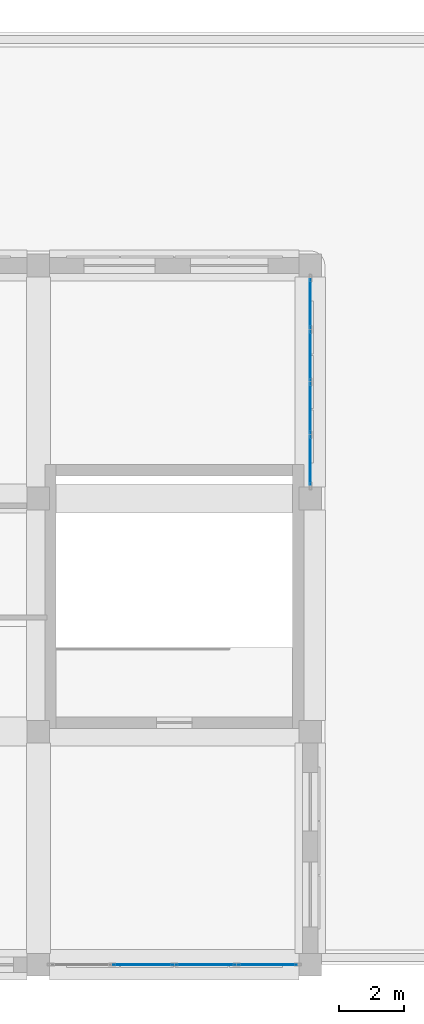
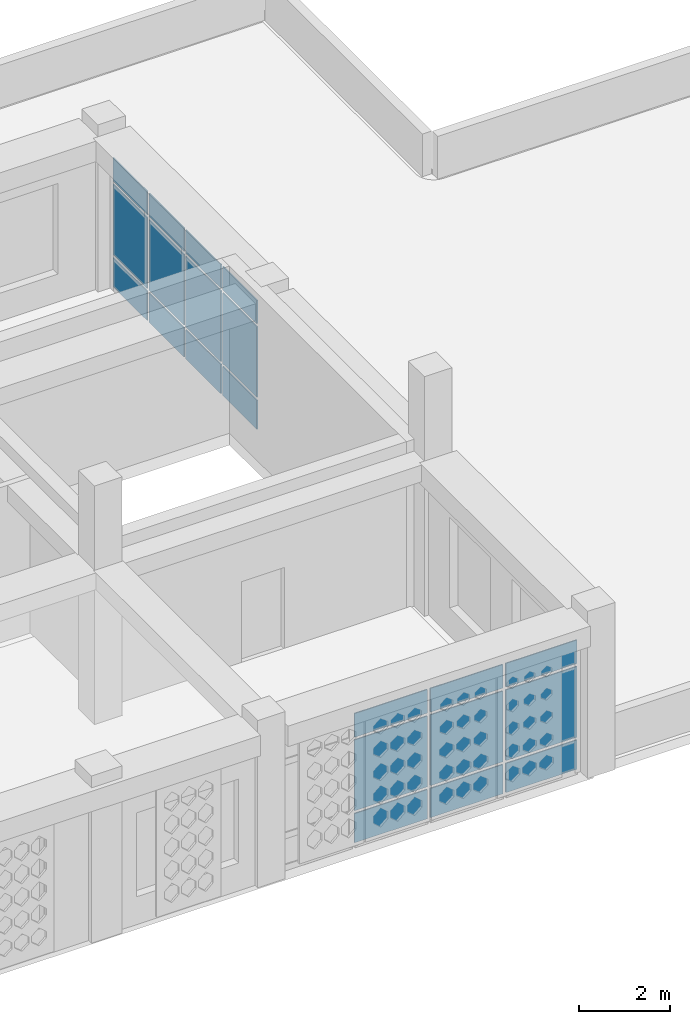
# One storey, part 46 of 100: 21 plates, 2 elements without a shape of their own.
"""IFC4 building model written with IfcOpenShell, lengths in metres."""

from ifc_helpers import new_model, si_unit, derived_unit, direction, frame, origin, origin_2d, place, context, subcontext, project, spatial, rectangle, extrude, material, layer, layer_set, type_object, element, aggregate, save


model = new_model("IFC4")

# Units and contexts
model_context = context("Model", 3, precision=1e-05, world=origin(), true_north=direction((0.0, 1.0)))
body_context = subcontext(model_context, "Body", "Model", "MODEL_VIEW")
ifc_project = project(units=[si_unit("LENGTHUNIT", "METRE"), si_unit("AREAUNIT", "SQUARE_METRE"), si_unit("VOLUMEUNIT", "CUBIC_METRE"), si_unit("PLANEANGLEUNIT", "RADIAN"), si_unit("MASSUNIT", "GRAM", prefix="KILO"), derived_unit("THERMALTRANSMITTANCEUNIT", [(si_unit("POWERUNIT", "WATT"), 1), (si_unit("LENGTHUNIT", "METRE"), -2), (si_unit("THERMODYNAMICTEMPERATUREUNIT", "KELVIN"), -1)])], contexts=[model_context])

# Site, building, storey
site_placement = place(None, origin())
site = spatial("IfcSite", under=ifc_project, at=site_placement, CompositionType="ELEMENT")
building_placement = place(site_placement, origin())
building = spatial("IfcBuilding", under=site, at=building_placement, Name="Veybourne Emporium", CompositionType="ELEMENT")
storey_placement = place(building_placement, frame((0.0, 0.0, 14.39990234375)))
storey = spatial("IfcBuildingStorey", under=building, at=storey_placement, Name="L03", CompositionType="ELEMENT", Elevation=14.39990234375)

# Curtain wall, plates
ifc_material_1 = material(Name="Patinated Architectural Bronze", Category="bronze")
curtain_wall_type_1 = type_object("IfcCurtainWallType", Name="CWSystem_CWS-22", PredefinedType="NOTDEFINED", material=ifc_material_1)
curtain_wall_1_placement = place(storey_placement, origin())
curtain_wall_1 = element("IfcCurtainWall", 1, at=curtain_wall_1_placement, inside=storey, type_object=curtain_wall_type_1, Name="L03 bronze glazed curtain wall CWS-22 (066)", PredefinedType="NOTDEFINED")
ifc_material_2 = material(Name="Low-E Triple Glazing", Category="glass")
ifc_layer = layer(ifc_material_2, 0.028076171875)
ifc_layer_set = layer_set([ifc_layer], Name="Low-E Triple Glazing")
plate_type = type_object("IfcPlateType", Name="CWPanel_CW-P1", PredefinedType="CURTAIN_PANEL", material=ifc_layer_set)
plate_1_placement = place(storey_placement, frame((133.06884765625, 0.0, 0.074951171875), z_axis=(0.0, 0.0, 1.0), x_axis=(-1.0, 0.0, 0.0)))
plate_1 = element("IfcPlate", 2, at=plate_1_placement, type_object=plate_type, Name="CWS-22 panel 1.1", PredefinedType="CURTAIN_PANEL", context=body_context, shape_type="SweptSolid", body=[
    extrude(rectangle(XDim=1.8125, YDim=0.028076171875, at=origin_2d()), origin(), (0.0, 0.0, 1.0), 0.78759765625),
])
plate_2_placement = place(storey_placement, frame((133.06884765625, 0.0, 0.9375), z_axis=(0.0, 0.0, 1.0), x_axis=(-1.0, 0.0, 0.0)))
plate_2 = element("IfcPlate", 3, at=plate_2_placement, type_object=plate_type, Name="CWS-22 panel 1.2", PredefinedType="CURTAIN_PANEL", context=body_context, shape_type="SweptSolid", body=[
    extrude(rectangle(XDim=1.8125, YDim=0.028076171875, at=origin_2d()), origin(), (0.0, 0.0, 1.0), 1.905029296875),
])
plate_3_placement = place(storey_placement, frame((133.06884765625, 0.0, 2.91748046875), z_axis=(0.0, 0.0, 1.0), x_axis=(-1.0, 0.0, 0.0)))
plate_3 = element("IfcPlate", 4, at=plate_3_placement, type_object=plate_type, Name="CWS-22 panel 1.3", PredefinedType="CURTAIN_PANEL", context=body_context, shape_type="SweptSolid", body=[
    extrude(rectangle(XDim=1.8125, YDim=0.028076171875, at=origin_2d()), origin(), (0.0, 0.0, 1.0), 0.637451171875),
])
plate_4_placement = place(storey_placement, frame((131.16259765625, 0.0, 0.074951171875), z_axis=(0.0, 0.0, 1.0), x_axis=(-1.0, 0.0, 0.0)))
plate_4 = element("IfcPlate", 5, at=plate_4_placement, type_object=plate_type, Name="CWS-22 panel 2.1", PredefinedType="CURTAIN_PANEL", context=body_context, shape_type="SweptSolid", body=[
    extrude(rectangle(XDim=1.85009765625, YDim=0.028076171875, at=origin_2d()), origin(), (0.0, 0.0, 1.0), 0.78759765625),
])
plate_5_placement = place(storey_placement, frame((131.16259765625, 0.0, 0.9375), z_axis=(0.0, 0.0, 1.0), x_axis=(-1.0, 0.0, 0.0)))
plate_5 = element("IfcPlate", 6, at=plate_5_placement, type_object=plate_type, Name="CWS-22 panel 2.2", PredefinedType="CURTAIN_PANEL", context=body_context, shape_type="SweptSolid", body=[
    extrude(rectangle(XDim=1.85009765625, YDim=0.028076171875, at=origin_2d()), origin(), (0.0, 0.0, 1.0), 1.905029296875),
])
plate_6_placement = place(storey_placement, frame((131.16259765625, 0.0, 2.91748046875), z_axis=(0.0, 0.0, 1.0), x_axis=(-1.0, 0.0, 0.0)))
plate_6 = element("IfcPlate", 7, at=plate_6_placement, type_object=plate_type, Name="CWS-22 panel 2.3", PredefinedType="CURTAIN_PANEL", context=body_context, shape_type="SweptSolid", body=[
    extrude(rectangle(XDim=1.85009765625, YDim=0.028076171875, at=origin_2d()), origin(), (0.0, 0.0, 1.0), 0.637451171875),
])
plate_7_placement = place(storey_placement, frame((129.237548828125, 0.0, 0.074951171875), z_axis=(0.0, 0.0, 1.0), x_axis=(-1.0, 0.0, 0.0)))
plate_7 = element("IfcPlate", 8, at=plate_7_placement, type_object=plate_type, Name="CWS-22 panel 3.1", PredefinedType="CURTAIN_PANEL", context=body_context, shape_type="SweptSolid", body=[
    extrude(rectangle(XDim=1.85009765625, YDim=0.028076171875, at=origin_2d()), origin(), (0.0, 0.0, 1.0), 0.78759765625),
])
plate_8_placement = place(storey_placement, frame((129.237548828125, 0.0, 0.9375), z_axis=(0.0, 0.0, 1.0), x_axis=(-1.0, 0.0, 0.0)))
plate_8 = element("IfcPlate", 9, at=plate_8_placement, type_object=plate_type, Name="CWS-22 panel 3.2", PredefinedType="CURTAIN_PANEL", context=body_context, shape_type="SweptSolid", body=[
    extrude(rectangle(XDim=1.85009765625, YDim=0.028076171875, at=origin_2d()), origin(), (0.0, 0.0, 1.0), 1.905029296875),
])
plate_9_placement = place(storey_placement, frame((129.237548828125, 0.0, 2.91748046875), z_axis=(0.0, 0.0, 1.0), x_axis=(-1.0, 0.0, 0.0)))
plate_9 = element("IfcPlate", 10, at=plate_9_placement, type_object=plate_type, Name="CWS-22 panel 3.3", PredefinedType="CURTAIN_PANEL", context=body_context, shape_type="SweptSolid", body=[
    extrude(rectangle(XDim=1.85009765625, YDim=0.028076171875, at=origin_2d()), origin(), (0.0, 0.0, 1.0), 0.637451171875),
])
aggregate(curtain_wall_1, [plate_1, plate_2, plate_3, plate_4, plate_5, plate_6, plate_7, plate_8, plate_9])

curtain_wall_type_2 = type_object("IfcCurtainWallType", Name="CWSystem_CWS-23", PredefinedType="NOTDEFINED", material=ifc_material_1)
curtain_wall_2_placement = place(storey_placement, origin())
curtain_wall_2 = element("IfcCurtainWall", 11, at=curtain_wall_2_placement, inside=storey, type_object=curtain_wall_type_2, Name="L03 bronze glazed curtain wall CWS-23 (069)", PredefinedType="NOTDEFINED")
plate_10_placement = place(storey_placement, frame((134.39990234375, 20.41796875, 0.078125), z_axis=(0.0, 0.0, 1.0), x_axis=(0.0, -1.0, 0.0)))
plate_10 = element("IfcPlate", 12, at=plate_10_placement, type_object=plate_type, Name="CWS-23 panel 1.1", PredefinedType="CURTAIN_PANEL", context=body_context, shape_type="SweptSolid", body=[
    extrude(rectangle(XDim=1.508056640625, YDim=0.028076171875, at=origin_2d()), origin(), (0.0, 0.0, 1.0), 0.782958984375),
])
plate_11_placement = place(storey_placement, frame((134.39990234375, 20.41796875, 0.93896484375), z_axis=(0.0, 0.0, 1.0), x_axis=(0.0, -1.0, 0.0)))
plate_11 = element("IfcPlate", 13, at=plate_11_placement, type_object=plate_type, Name="CWS-23 panel 1.2", PredefinedType="CURTAIN_PANEL", context=body_context, shape_type="SweptSolid", body=[
    extrude(rectangle(XDim=1.508056640625, YDim=0.028076171875, at=origin_2d()), origin(), (0.0, 0.0, 1.0), 1.902099609375),
])
plate_12_placement = place(storey_placement, frame((134.39990234375, 20.41796875, 2.9189453125), z_axis=(0.0, 0.0, 1.0), x_axis=(0.0, -1.0, 0.0)))
plate_12 = element("IfcPlate", 14, at=plate_12_placement, type_object=plate_type, Name="CWS-23 panel 1.3", PredefinedType="CURTAIN_PANEL", context=body_context, shape_type="SweptSolid", body=[
    extrude(rectangle(XDim=1.508056640625, YDim=0.028076171875, at=origin_2d()), origin(), (0.0, 0.0, 1.0), 0.633056640625),
])
plate_13_placement = place(storey_placement, frame((134.39990234375, 18.8125, 0.078125), z_axis=(0.0, 0.0, 1.0), x_axis=(0.0, -1.0, 0.0)))
plate_13 = element("IfcPlate", 15, at=plate_13_placement, type_object=plate_type, Name="CWS-23 panel 2.1", PredefinedType="CURTAIN_PANEL", context=body_context, shape_type="SweptSolid", body=[
    extrude(rectangle(XDim=1.547119140625, YDim=0.028076171875, at=origin_2d()), origin(), (0.0, 0.0, 1.0), 0.782958984375),
])
plate_14_placement = place(storey_placement, frame((134.39990234375, 18.8125, 0.93896484375), z_axis=(0.0, 0.0, 1.0), x_axis=(0.0, -1.0, 0.0)))
plate_14 = element("IfcPlate", 16, at=plate_14_placement, type_object=plate_type, Name="CWS-23 panel 2.2", PredefinedType="CURTAIN_PANEL", context=body_context, shape_type="SweptSolid", body=[
    extrude(rectangle(XDim=1.547119140625, YDim=0.028076171875, at=origin_2d()), origin(), (0.0, 0.0, 1.0), 1.902099609375),
])
plate_15_placement = place(storey_placement, frame((134.39990234375, 18.8125, 2.9189453125), z_axis=(0.0, 0.0, 1.0), x_axis=(0.0, -1.0, 0.0)))
plate_15 = element("IfcPlate", 17, at=plate_15_placement, type_object=plate_type, Name="CWS-23 panel 2.3", PredefinedType="CURTAIN_PANEL", context=body_context, shape_type="SweptSolid", body=[
    extrude(rectangle(XDim=1.547119140625, YDim=0.028076171875, at=origin_2d()), origin(), (0.0, 0.0, 1.0), 0.633056640625),
])
plate_16_placement = place(storey_placement, frame((134.39990234375, 17.1875, 0.078125), z_axis=(0.0, 0.0, 1.0), x_axis=(0.0, -1.0, 0.0)))
plate_16 = element("IfcPlate", 18, at=plate_16_placement, type_object=plate_type, Name="CWS-23 panel 3.1", PredefinedType="CURTAIN_PANEL", context=body_context, shape_type="SweptSolid", body=[
    extrude(rectangle(XDim=1.547119140625, YDim=0.028076171875, at=origin_2d()), origin(), (0.0, 0.0, 1.0), 0.782958984375),
])
plate_17_placement = place(storey_placement, frame((134.39990234375, 17.1875, 0.93896484375), z_axis=(0.0, 0.0, 1.0), x_axis=(0.0, -1.0, 0.0)))
plate_17 = element("IfcPlate", 19, at=plate_17_placement, type_object=plate_type, Name="CWS-23 panel 3.2", PredefinedType="CURTAIN_PANEL", context=body_context, shape_type="SweptSolid", body=[
    extrude(rectangle(XDim=1.547119140625, YDim=0.028076171875, at=origin_2d()), origin(), (0.0, 0.0, 1.0), 1.902099609375),
])
plate_18_placement = place(storey_placement, frame((134.39990234375, 17.1875, 2.9189453125), z_axis=(0.0, 0.0, 1.0), x_axis=(0.0, -1.0, 0.0)))
plate_18 = element("IfcPlate", 20, at=plate_18_placement, type_object=plate_type, Name="CWS-23 panel 3.3", PredefinedType="CURTAIN_PANEL", context=body_context, shape_type="SweptSolid", body=[
    extrude(rectangle(XDim=1.547119140625, YDim=0.028076171875, at=origin_2d()), origin(), (0.0, 0.0, 1.0), 0.633056640625),
])
plate_19_placement = place(storey_placement, frame((134.39990234375, 15.58203125, 0.078125), z_axis=(0.0, 0.0, 1.0), x_axis=(0.0, -1.0, 0.0)))
plate_19 = element("IfcPlate", 21, at=plate_19_placement, type_object=plate_type, Name="CWS-23 panel 4.1", PredefinedType="CURTAIN_PANEL", context=body_context, shape_type="SweptSolid", body=[
    extrude(rectangle(XDim=1.508056640625, YDim=0.028076171875, at=origin_2d()), origin(), (0.0, 0.0, 1.0), 0.782958984375),
])
plate_20_placement = place(storey_placement, frame((134.39990234375, 15.58203125, 0.93896484375), z_axis=(0.0, 0.0, 1.0), x_axis=(0.0, -1.0, 0.0)))
plate_20 = element("IfcPlate", 22, at=plate_20_placement, type_object=plate_type, Name="CWS-23 panel 4.2", PredefinedType="CURTAIN_PANEL", context=body_context, shape_type="SweptSolid", body=[
    extrude(rectangle(XDim=1.508056640625, YDim=0.028076171875, at=origin_2d()), origin(), (0.0, 0.0, 1.0), 1.902099609375),
])
plate_21_placement = place(storey_placement, frame((134.39990234375, 15.58203125, 2.9189453125), z_axis=(0.0, 0.0, 1.0), x_axis=(0.0, -1.0, 0.0)))
plate_21 = element("IfcPlate", 23, at=plate_21_placement, type_object=plate_type, Name="CWS-23 panel 4.3", PredefinedType="CURTAIN_PANEL", context=body_context, shape_type="SweptSolid", body=[
    extrude(rectangle(XDim=1.508056640625, YDim=0.028076171875, at=origin_2d()), origin(), (0.0, 0.0, 1.0), 0.633056640625),
])
aggregate(curtain_wall_2, [plate_10, plate_11, plate_12, plate_13, plate_14, plate_15, plate_16, plate_17, plate_18, plate_19, plate_20, plate_21])

save(model, "model.ifc")
